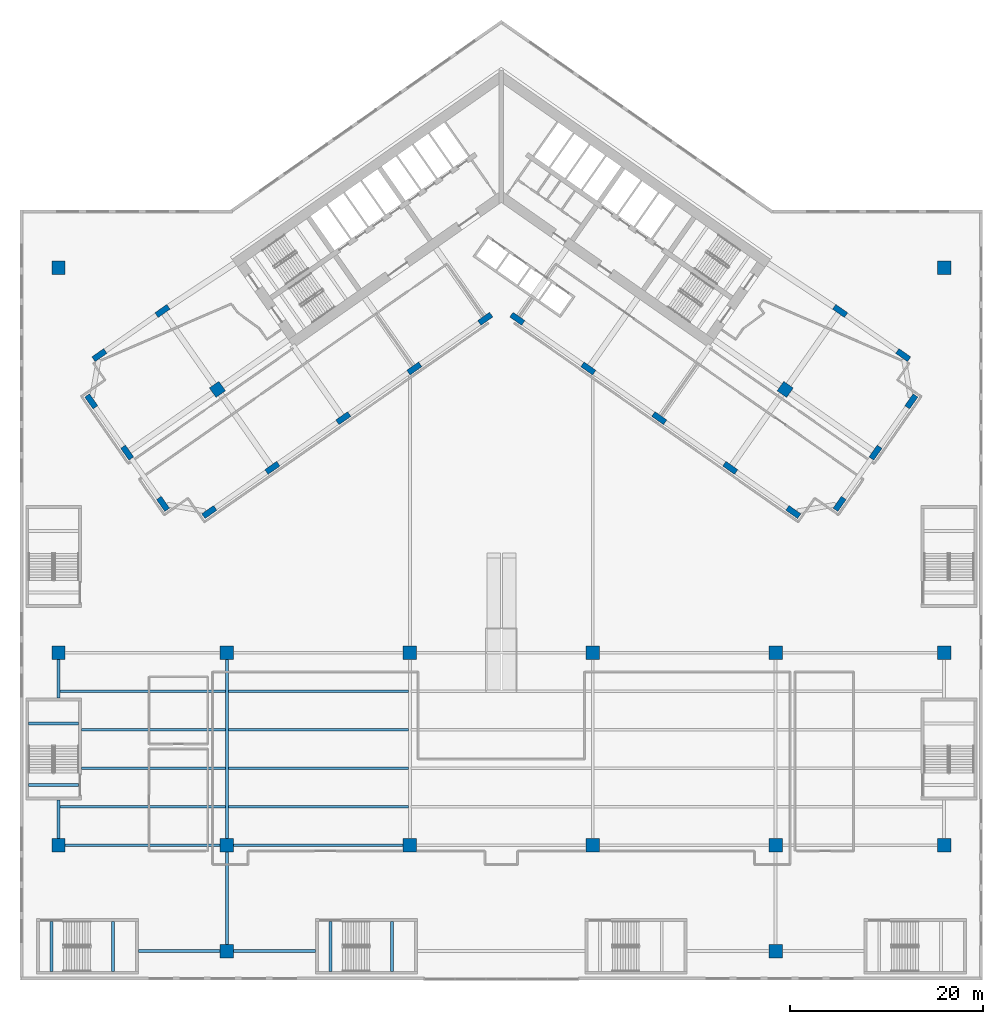
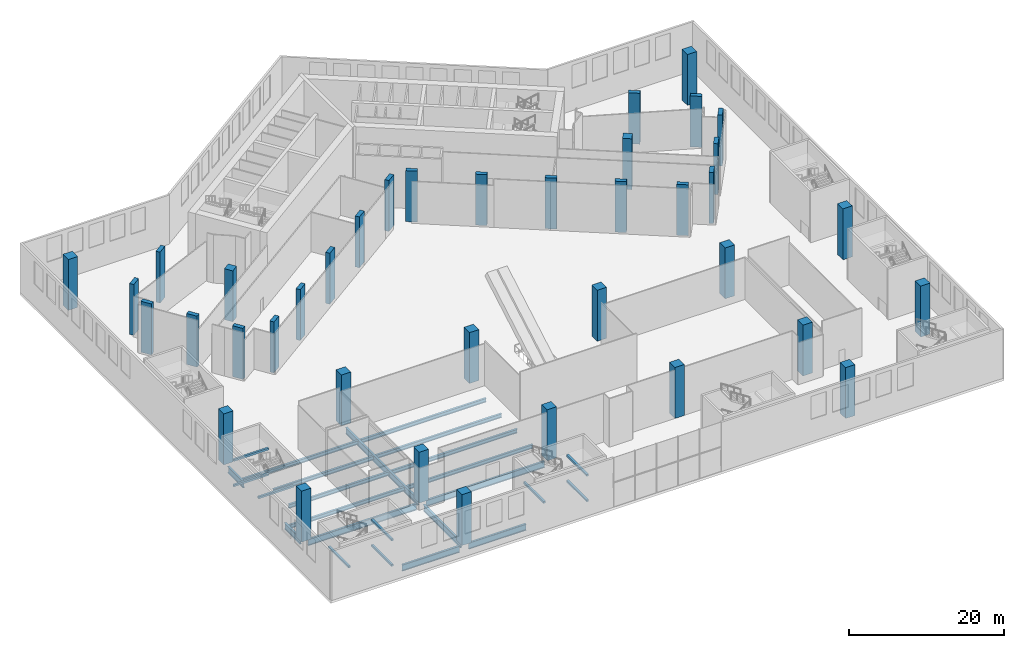
# One storey, part 1 of 27: 38 columns, 25 beams.
"""IFC4 building model written with IfcOpenShell, lengths in metres."""

from ifc_helpers import new_model, si_unit, direction, frame, origin, origin_2d, place, context, subcontext, project, spatial, rectangle, i_section, extrude, material, material_profile, profile_set, type_object, element, save


model = new_model("IFC4")

# Units and contexts
model_context = context("Model", 3, precision=1e-05, world=origin(), true_north=direction((0.0, 1.0)))
body_context = subcontext(model_context, "Body", "Model", "MODEL_VIEW")
ifc_project = project(units=[si_unit("LENGTHUNIT", "METRE"), si_unit("AREAUNIT", "SQUARE_METRE"), si_unit("VOLUMEUNIT", "CUBIC_METRE"), si_unit("PLANEANGLEUNIT", "RADIAN"), si_unit("MASSUNIT", "GRAM", prefix="KILO")], contexts=[model_context])

# Site, building, storey
site_placement = place(None, origin())
site = spatial("IfcSite", under=ifc_project, at=site_placement, CompositionType="ELEMENT")
building_placement = place(site_placement, origin())
building = spatial("IfcBuilding", under=site, at=building_placement, Name="Tel Ilan Convention Tower", CompositionType="ELEMENT")
storey_placement = place(building_placement, frame((0.0, 0.0, 18.0)))
storey = spatial("IfcBuildingStorey", under=building, at=storey_placement, Name="L02", CompositionType="ELEMENT", Elevation=18.0)

# Columns
ifc_material_1 = material(Name="Concrete C60/75", Category="concrete")
ifc_material_profile_1 = material_profile(ifc_material_1, rectangle(XDim=1.199951171875, YDim=1.199951171875, at=origin_2d()), Name="RC 1200x1200")
ifc_profile_set_1 = profile_set([ifc_material_profile_1], Name="Concrete C60/75")
column_type_1 = type_object("IfcColumnType", Name="Column RC 1200x1200 C60/75", PredefinedType="COLUMN", material=ifc_profile_set_1)
for number, where, z_axis, x_axis, name in (
    (1, (-29.489501953125, -20.648681640625, 0.0), (0.0, 0.0, 1.0), (-0.819152044289, -0.573576436351, 0.0), "L02 column W-M4"),
    (2, (29.489501953125, -20.648681640625, 0.0), (0.0, 0.0, 1.0), (0.819152044289, -0.573576436351, 0.0), "L02 column E-M4"),
):
    element("IfcColumn", number, at=place(storey_placement, frame(where, z_axis=z_axis, x_axis=x_axis)), inside=storey, type_object=column_type_1, Name=name, PredefinedType="COLUMN", context=body_context, shape_type="SweptSolid", body=[
        extrude(rectangle(XDim=1.199951171875, YDim=1.199951171875, at=origin_2d()), origin(), (0.0, 0.0, 1.0), 8.0),
    ])
ifc_material_2 = material(Name="Concrete C50/60", Category="concrete")
ifc_material_profile_2 = material_profile(ifc_material_2, rectangle(XDim=1.39990234375, YDim=1.39990234375, at=origin_2d()), Name="RC 1400x1400")
ifc_profile_set_2 = profile_set([ifc_material_profile_2], Name="Concrete C50/60")
column_type_2 = type_object("IfcColumnType", Name="Column RC 1400x1400 C50/60", PredefinedType="COLUMN", material=ifc_profile_set_2)
for number, where, z_axis, x_axis, name in (
    (3, (-28.5, -79.0, 0.0), (0.0, 0.0, 1.0), (1.0, 0.0, 0.0), "L02 column PC12"),
    (4, (28.5, -79.0, 0.0), (0.0, 0.0, 1.0), (1.0, 0.0, 0.0), "L02 column PC15"),
    (5, (-46.0, -68.0, 0.0), (0.0, 0.0, 1.0), (1.0, 0.0, 0.0), "L02 column PC21"),
    (6, (-28.5, -68.0, 0.0), (0.0, 0.0, 1.0), (1.0, 0.0, 0.0), "L02 column PC22"),
    (7, (-9.5, -68.0, 0.0), (0.0, 0.0, 1.0), (1.0, 0.0, 0.0), "L02 column PC23"),
    (8, (9.5, -68.0, 0.0), (0.0, 0.0, 1.0), (1.0, 0.0, 0.0), "L02 column PC24"),
    (9, (28.5, -68.0, 0.0), (0.0, 0.0, 1.0), (1.0, 0.0, 0.0), "L02 column PC25"),
    (10, (46.0, -68.0, 0.0), (0.0, 0.0, 1.0), (1.0, 0.0, 0.0), "L02 column PC26"),
    (11, (-46.0, -48.0, 0.0), (0.0, 0.0, 1.0), (1.0, 0.0, 0.0), "L02 column PC31"),
    (12, (-28.5, -48.0, 0.0), (0.0, 0.0, 1.0), (1.0, 0.0, 0.0), "L02 column PC32"),
    (13, (-9.5, -48.0, 0.0), (0.0, 0.0, 1.0), (1.0, 0.0, 0.0), "L02 column PC33"),
    (14, (9.5, -48.0, 0.0), (0.0, 0.0, 1.0), (1.0, 0.0, 0.0), "L02 column PC34"),
    (15, (28.5, -48.0, 0.0), (0.0, 0.0, 1.0), (1.0, 0.0, 0.0), "L02 column PC35"),
    (16, (46.0, -48.0, 0.0), (0.0, 0.0, 1.0), (1.0, 0.0, 0.0), "L02 column PC36"),
    (17, (-46.0, -8.0, 0.0), (0.0, 0.0, 1.0), (1.0, 0.0, 0.0), "L02 column PC51"),
    (18, (46.0, -8.0, 0.0), (0.0, 0.0, 1.0), (1.0, 0.0, 0.0), "L02 column PC56"),
):
    element("IfcColumn", number, at=place(storey_placement, frame(where, z_axis=z_axis, x_axis=x_axis)), inside=storey, type_object=column_type_2, Name=name, PredefinedType="COLUMN", context=body_context, shape_type="SweptSolid", body=[
        extrude(rectangle(XDim=1.39990234375, YDim=1.39990234375, at=origin_2d()), origin(), (0.0, 0.0, 1.0), 8.0),
    ])
ifc_material_3 = material(Name="Concrete C60/75", Category="concrete")
ifc_material_profile_3 = material_profile(ifc_material_3, rectangle(XDim=1.5, YDim=0.60009765625, at=origin_2d()), Name="RC 600x1500")
ifc_profile_set_3 = profile_set([ifc_material_profile_3], Name="Concrete C60/75")
column_type_3 = type_object("IfcColumnType", Name="Column RC 600x1500 C60/75", PredefinedType="COLUMN", material=ifc_profile_set_3)
for number, where, z_axis, x_axis, name in (
    (19, (-1.665283203125, -13.312744140625, 0.0), (0.0, 0.0, 1.0), (-0.819152044289, -0.573576436351, 0.0), "L02 column W-F1"),
    (20, (-9.03759765625, -18.474853515625, 0.0), (0.0, 0.0, 1.0), (-0.819152044289, -0.573576436351, 0.0), "L02 column W-F2"),
    (21, (-16.409912109375, -23.63720703125, 0.0), (0.0, 0.0, 1.0), (-0.819152044289, -0.573576436351, 0.0), "L02 column W-F3"),
    (22, (-23.782470703125, -28.79931640625, 0.0), (0.0, 0.0, 1.0), (-0.819152044289, -0.573576436351, 0.0), "L02 column W-F4"),
    (23, (-30.335693359375, -33.387939453125, 0.0), (0.0, 0.0, 1.0), (-0.819152044289, -0.573576436351, 0.0), "L02 column W-FC"),
    (24, (-35.196533203125, -12.498291015625, 0.0), (0.0, 0.0, 1.0), (-0.819152044289, -0.573576436351, 0.0), "L02 column W-B4"),
    (25, (-41.749755859375, -17.0869140625, 0.0), (0.0, 0.0, 1.0), (-0.819152044289, -0.573576436351, 0.0), "L02 column W-BC"),
    (26, (-35.140380859375, -32.540771484375, 0.0), (0.0, 0.0, 1.0), (-0.573576436351, 0.819152044289, 0.0), "L02 column W-E1"),
    (27, (-38.868896484375, -27.21630859375, 0.0), (0.0, 0.0, 1.0), (-0.573576436351, 0.819152044289, 0.0), "L02 column W-E2"),
    (28, (-42.596923828125, -21.8916015625, 0.0), (0.0, 0.0, 1.0), (-0.573576436351, 0.819152044289, 0.0), "L02 column W-E3"),
    (29, (1.665283203125, -13.312744140625, 0.0), (0.0, 0.0, 1.0), (0.819152044289, -0.573576436351, 0.0), "L02 column E-F1"),
    (30, (9.03759765625, -18.474853515625, 0.0), (0.0, 0.0, 1.0), (0.819152044289, -0.573576436351, 0.0), "L02 column E-F2"),
    (31, (16.409912109375, -23.63720703125, 0.0), (0.0, 0.0, 1.0), (0.819152044289, -0.573576436351, 0.0), "L02 column E-F3"),
    (32, (23.782470703125, -28.79931640625, 0.0), (0.0, 0.0, 1.0), (0.819152044289, -0.573576436351, 0.0), "L02 column E-F4"),
    (33, (30.335693359375, -33.387939453125, 0.0), (0.0, 0.0, 1.0), (0.819152044289, -0.573576436351, 0.0), "L02 column E-FC"),
    (34, (35.196533203125, -12.498291015625, 0.0), (0.0, 0.0, 1.0), (0.819152044289, -0.573576436351, 0.0), "L02 column E-B4"),
    (35, (41.749755859375, -17.0869140625, 0.0), (0.0, 0.0, 1.0), (0.819152044289, -0.573576436351, 0.0), "L02 column E-BC"),
    (36, (35.140380859375, -32.540771484375, 0.0), (0.0, 0.0, 1.0), (0.573576436351, 0.819152044289, 0.0), "L02 column E-E1"),
    (37, (38.868896484375, -27.21630859375, 0.0), (0.0, 0.0, 1.0), (0.573576436351, 0.819152044289, 0.0), "L02 column E-E2"),
    (38, (42.596923828125, -21.8916015625, 0.0), (0.0, 0.0, 1.0), (0.573576436351, 0.819152044289, 0.0), "L02 column E-E3"),
):
    element("IfcColumn", number, at=place(storey_placement, frame(where, z_axis=z_axis, x_axis=x_axis)), inside=storey, type_object=column_type_3, Name=name, PredefinedType="COLUMN", context=body_context, shape_type="SweptSolid", body=[
        extrude(rectangle(XDim=1.5, YDim=0.60009765625, at=origin_2d()), origin(), (0.0, 0.0, 1.0), 8.0),
    ])

# Beams
ifc_material_4 = material(Name="Steel S355", Category="steel")
ifc_material_profile_4 = material_profile(ifc_material_4, i_section(OverallWidth=0.300048828125, OverallDepth=1.0, WebThickness=0.01904296875, FlangeThickness=0.035888671875, FilletRadius=0.030029296875, at=origin_2d()), Name="HEB 1000")
ifc_profile_set_4 = profile_set([ifc_material_profile_4], Name="Steel S355")
beam_type_1 = type_object("IfcBeamType", Name="Girder HEB 1000 Steel S355", PredefinedType="BEAM", material=ifc_profile_set_4)
beam_1_placement = place(storey_placement, frame((-45.300048828125, -68.0, -0.89990234375), z_axis=(1.0, 0.0, 0.0), x_axis=(0.0, 1.0, 0.0)))
element("IfcBeam", 39, at=beam_1_placement, inside=storey, type_object=beam_type_1, Name="L02 beam GX21-2", PredefinedType="BEAM", context=body_context, shape_type="SweptSolid", body=[
    extrude(i_section(OverallWidth=0.300048828125, OverallDepth=1.0, WebThickness=0.01904296875, FlangeThickness=0.035888671875, FilletRadius=0.030029296875, at=origin_2d()), origin(), (0.0, 0.0, 1.0), 16.10009765625),
])
beam_2_placement = place(storey_placement, frame((-27.800048828125, -68.0, -0.89990234375), z_axis=(1.0, 0.0, 0.0), x_axis=(0.0, 1.0, 0.0)))
element("IfcBeam", 40, at=beam_2_placement, inside=storey, type_object=beam_type_1, Name="L02 beam GX22-3", PredefinedType="BEAM", context=body_context, shape_type="SweptSolid", body=[
    extrude(i_section(OverallWidth=0.300048828125, OverallDepth=1.0, WebThickness=0.01904296875, FlangeThickness=0.035888671875, FilletRadius=0.030029296875, at=origin_2d()), origin(), (0.0, 0.0, 1.0), 17.60009765625),
])
for number, where, z_axis, x_axis, name in (
    (41, (-46.0, -67.300048828125, -0.89990234375), (0.0, 1.0, 0.0), (-1.0, 0.0, 0.0), "L02 beam GY12-3"),
    (42, (-46.0, -52.699951171875, -0.89990234375), (0.0, 1.0, 0.0), (-1.0, 0.0, 0.0), "L02 beam GY12-3"),
):
    element("IfcBeam", number, at=place(storey_placement, frame(where, z_axis=z_axis, x_axis=x_axis)), inside=storey, type_object=beam_type_1, Name=name, PredefinedType="BEAM", context=body_context, shape_type="SweptSolid", body=[
        extrude(i_section(OverallWidth=0.300048828125, OverallDepth=1.0, WebThickness=0.01904296875, FlangeThickness=0.035888671875, FilletRadius=0.030029296875, at=origin_2d()), origin(), (0.0, 0.0, 1.0), 4.0),
    ])
beam_3_placement = place(storey_placement, frame((-28.5, -78.300048828125, -0.89990234375), z_axis=(0.0, 1.0, 0.0), x_axis=(-1.0, 0.0, 0.0)))
element("IfcBeam", 43, at=beam_3_placement, inside=storey, type_object=beam_type_1, Name="L02 beam GY21-2", PredefinedType="BEAM", context=body_context, shape_type="SweptSolid", body=[
    extrude(i_section(OverallWidth=0.300048828125, OverallDepth=1.0, WebThickness=0.01904296875, FlangeThickness=0.035888671875, FilletRadius=0.030029296875, at=origin_2d()), origin(), (0.0, 0.0, 1.0), 9.60009765625),
])
beam_4_placement = place(storey_placement, frame((-28.5, -67.300048828125, -0.89990234375), z_axis=(0.0, 1.0, 0.0), x_axis=(-1.0, 0.0, 0.0)))
element("IfcBeam", 44, at=beam_4_placement, inside=storey, type_object=beam_type_1, Name="L02 beam GY22-3", PredefinedType="BEAM", context=body_context, shape_type="SweptSolid", body=[
    extrude(i_section(OverallWidth=0.300048828125, OverallDepth=1.0, WebThickness=0.01904296875, FlangeThickness=0.035888671875, FilletRadius=0.030029296875, at=origin_2d()), origin(), (0.0, 0.0, 1.0), 18.60009765625),
])
for number, where, z_axis, x_axis, name in (
    (45, (-37.699951171875, -79.0, -0.89990234375), (1.0, 0.0, 0.0), (0.0, 1.0, 0.0), "L02 beam GS19"),
    (46, (-27.800048828125, -79.0, -0.89990234375), (1.0, 0.0, 0.0), (0.0, 1.0, 0.0), "L02 beam GS20"),
):
    element("IfcBeam", number, at=place(storey_placement, frame(where, z_axis=z_axis, x_axis=x_axis)), inside=storey, type_object=beam_type_1, Name=name, PredefinedType="BEAM", context=body_context, shape_type="SweptSolid", body=[
        extrude(i_section(OverallWidth=0.300048828125, OverallDepth=1.0, WebThickness=0.01904296875, FlangeThickness=0.035888671875, FilletRadius=0.030029296875, at=origin_2d()), origin(), (0.0, 0.0, 1.0), 8.5),
    ])
ifc_material_5 = material(Name="Steel S355", Category="steel")
ifc_material_profile_5 = material_profile(ifc_material_5, i_section(OverallWidth=0.300048828125, OverallDepth=0.60009765625, WebThickness=0.015380859375, FlangeThickness=0.030029296875, FilletRadius=0.027099609375, at=origin_2d()), Name="HEB 600")
ifc_profile_set_5 = profile_set([ifc_material_profile_5], Name="Steel S355")
beam_type_2 = type_object("IfcBeamType", Name="Joist HEB 600 Steel S355", PredefinedType="JOIST", material=ifc_profile_set_5)
beam_5_placement = place(storey_placement, frame((-45.860107421875, -64.0, -0.699951171875), z_axis=(1.0, 0.0, 0.0), x_axis=(0.0, 1.0, 0.0)))
element("IfcBeam", 47, at=beam_5_placement, inside=storey, type_object=beam_type_2, Name="L02 beam J1--68-1", PredefinedType="JOIST", context=body_context, shape_type="SweptSolid", body=[
    extrude(i_section(OverallWidth=0.300048828125, OverallDepth=0.60009765625, WebThickness=0.015380859375, FlangeThickness=0.030029296875, FilletRadius=0.027099609375, at=origin_2d()), origin(), (0.0, 0.0, 1.0), 17.22021484375),
])
for number, where, z_axis, x_axis, name in (
    (48, (-43.60009765625, -60.0, -0.699951171875), (1.0, 0.0, 0.0), (0.0, 1.0, 0.0), "L02 beam J1--68-2"),
    (49, (-43.60009765625, -56.0, -0.699951171875), (1.0, 0.0, 0.0), (0.0, 1.0, 0.0), "L02 beam J1--68-3"),
):
    element("IfcBeam", number, at=place(storey_placement, frame(where, z_axis=z_axis, x_axis=x_axis)), inside=storey, type_object=beam_type_2, Name=name, PredefinedType="JOIST", context=body_context, shape_type="SweptSolid", body=[
        extrude(i_section(OverallWidth=0.300048828125, OverallDepth=0.60009765625, WebThickness=0.015380859375, FlangeThickness=0.030029296875, FilletRadius=0.027099609375, at=origin_2d()), origin(), (0.0, 0.0, 1.0), 14.960205078125),
    ])
beam_6_placement = place(storey_placement, frame((-45.860107421875, -52.0, -0.699951171875), z_axis=(1.0, 0.0, 0.0), x_axis=(0.0, 1.0, 0.0)))
element("IfcBeam", 50, at=beam_6_placement, inside=storey, type_object=beam_type_2, Name="L02 beam J1--68-4", PredefinedType="JOIST", context=body_context, shape_type="SweptSolid", body=[
    extrude(i_section(OverallWidth=0.300048828125, OverallDepth=0.60009765625, WebThickness=0.015380859375, FlangeThickness=0.030029296875, FilletRadius=0.027099609375, at=origin_2d()), origin(), (0.0, 0.0, 1.0), 17.22021484375),
])
for number, where, z_axis, x_axis, name in (
    (51, (-28.360107421875, -64.0, -0.699951171875), (1.0, 0.0, 0.0), (0.0, 1.0, 0.0), "L02 beam J2--68-1"),
    (52, (-28.360107421875, -60.0, -0.699951171875), (1.0, 0.0, 0.0), (0.0, 1.0, 0.0), "L02 beam J2--68-2"),
    (53, (-28.360107421875, -56.0, -0.699951171875), (1.0, 0.0, 0.0), (0.0, 1.0, 0.0), "L02 beam J2--68-3"),
    (54, (-28.360107421875, -52.0, -0.699951171875), (1.0, 0.0, 0.0), (0.0, 1.0, 0.0), "L02 beam J2--68-4"),
):
    element("IfcBeam", number, at=place(storey_placement, frame(where, z_axis=z_axis, x_axis=x_axis)), inside=storey, type_object=beam_type_2, Name=name, PredefinedType="JOIST", context=body_context, shape_type="SweptSolid", body=[
        extrude(i_section(OverallWidth=0.300048828125, OverallDepth=0.60009765625, WebThickness=0.015380859375, FlangeThickness=0.030029296875, FilletRadius=0.027099609375, at=origin_2d()), origin(), (0.0, 0.0, 1.0), 18.72021484375),
    ])
ifc_material_6 = material(Name="Concrete C40/50", Category="concrete")
ifc_material_profile_6 = material_profile(ifc_material_6, rectangle(XDim=0.300048828125, YDim=0.300048828125, at=origin_2d()), Name="RC 300x300")
ifc_profile_set_6 = profile_set([ifc_material_profile_6], Name="Concrete C40/50")
beam_type_3 = type_object("IfcBeamType", Name="Landing Beam RC 300x300 Concrete C40/50", PredefinedType="BEAM", material=ifc_profile_set_6)
for number, where, z_axis, x_axis, name in (
    (55, (-40.337890625, -81.10009765625, 1.64990234375), (0.0, 1.0, 0.0), (-1.0, 0.0, 0.0), "P1 landing beam L02.1"),
    (56, (-46.737060546875, -81.10009765625, 3.64990234375), (0.0, 1.0, 0.0), (-1.0, 0.0, 0.0), "P1 landing beam L02.2"),
    (57, (-40.337890625, -81.10009765625, 5.64990234375), (0.0, 1.0, 0.0), (-1.0, 0.0, 0.0), "P1 landing beam L02.3"),
    (58, (-11.337890625, -81.10009765625, 1.64990234375), (0.0, 1.0, 0.0), (-1.0, 0.0, 0.0), "P2 landing beam L02.1"),
    (59, (-17.737060546875, -81.10009765625, 3.64990234375), (0.0, 1.0, 0.0), (-1.0, 0.0, 0.0), "P2 landing beam L02.2"),
    (60, (-11.337890625, -81.10009765625, 5.64990234375), (0.0, 1.0, 0.0), (-1.0, 0.0, 0.0), "P2 landing beam L02.3"),
    (61, (-43.89990234375, -55.337890625, 1.64990234375), (-1.0, 0.0, 0.0), (0.0, -1.0, 0.0), "P5 landing beam L02.1"),
    (62, (-43.89990234375, -61.737060546875, 3.64990234375), (-1.0, 0.0, 0.0), (0.0, -1.0, 0.0), "P5 landing beam L02.2"),
    (63, (-43.89990234375, -55.337890625, 5.64990234375), (-1.0, 0.0, 0.0), (0.0, -1.0, 0.0), "P5 landing beam L02.3"),
):
    element("IfcBeam", number, at=place(storey_placement, frame(where, z_axis=z_axis, x_axis=x_axis)), inside=storey, type_object=beam_type_3, Name=name, PredefinedType="BEAM", context=body_context, shape_type="SweptSolid", body=[
        extrude(rectangle(XDim=0.300048828125, YDim=0.300048828125, at=origin_2d()), origin(), (0.0, 0.0, 1.0), 5.2001953125),
    ])

save(model, "model.ifc")
